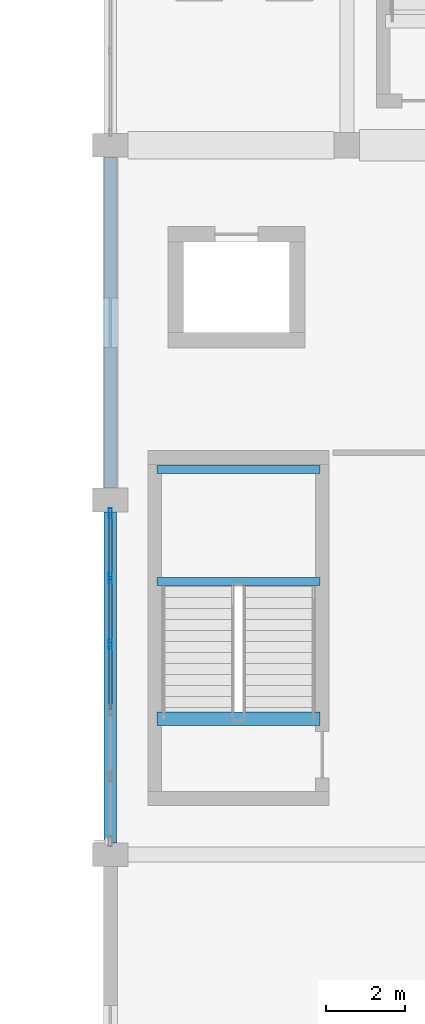
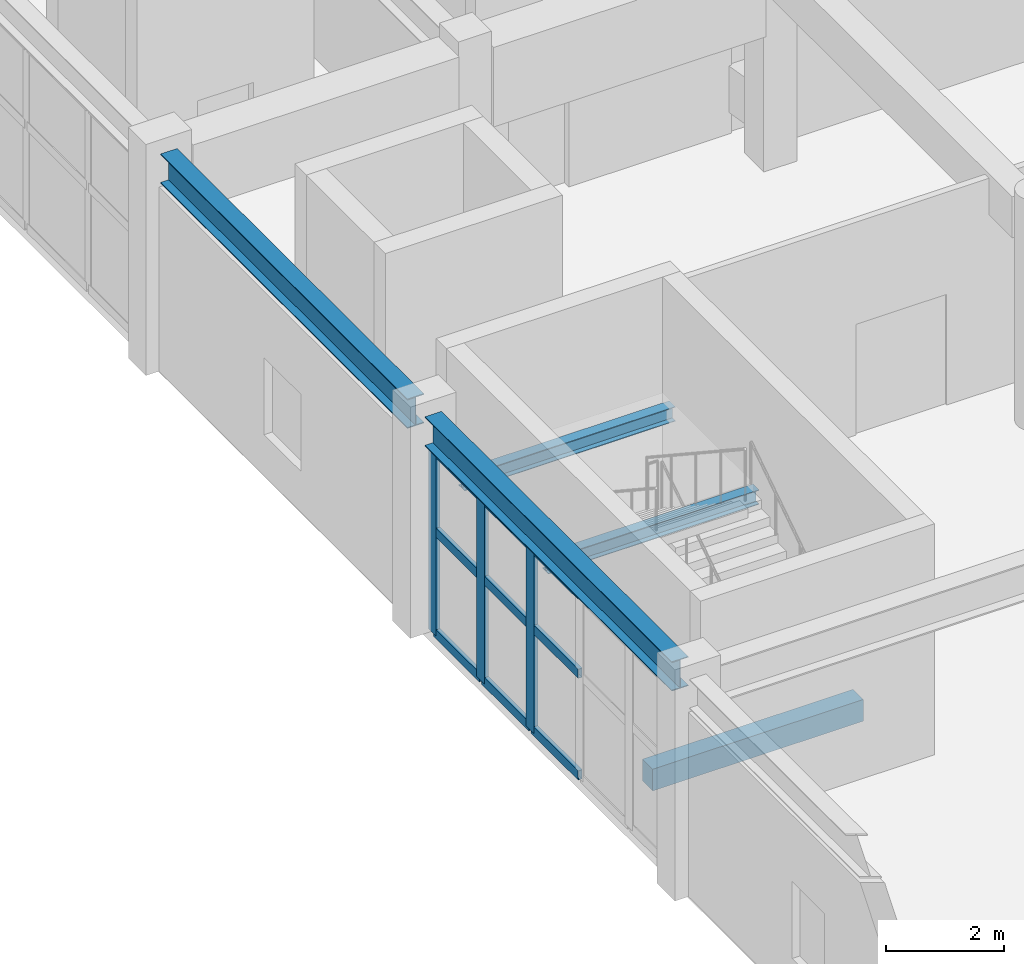
# One storey, part 5 of 85: 12 members, 5 beams, 1 element without a shape of its own.
"""IFC4 building model written with IfcOpenShell, lengths in metres."""

from ifc_helpers import new_model, si_unit, direction, frame, origin, origin_2d, place, context, subcontext, project, spatial, rectangle, hollow_rectangle, i_section, extrude, material, layer, layer_set, material_profile, profile_set, type_object, element, aggregate, save


model = new_model("IFC4")

# Units and contexts
model_context = context("Model", 3, precision=1e-05, world=origin(), true_north=direction((0.0, 1.0)))
body_context = subcontext(model_context, "Body", "Model", "MODEL_VIEW")
ifc_project = project(units=[si_unit("LENGTHUNIT", "METRE"), si_unit("AREAUNIT", "SQUARE_METRE"), si_unit("VOLUMEUNIT", "CUBIC_METRE"), si_unit("PLANEANGLEUNIT", "RADIAN"), si_unit("MASSUNIT", "GRAM", prefix="KILO")], contexts=[model_context])

# Site, building, storey
site_placement = place(None, origin())
site = spatial("IfcSite", under=ifc_project, at=site_placement, CompositionType="ELEMENT")
building_placement = place(site_placement, origin())
building = spatial("IfcBuilding", under=site, at=building_placement, Name="Vaelkrest Opera House", CompositionType="ELEMENT")
storey_placement = place(building_placement, frame((0.0, 0.0, 10.199951171875)))
storey = spatial("IfcBuildingStorey", under=building, at=storey_placement, Name="L02", CompositionType="ELEMENT", Elevation=10.199951171875)

# Curtain wall, members
ifc_material_1 = material(Name="Dark bronze anodized aluminium", Category="aluminium")
ifc_layer = layer(ifc_material_1, 0.2099609375)
ifc_layer_set = layer_set([ifc_layer], Name="Dark bronze anodized aluminium")
curtain_wall_type = type_object("IfcCurtainWallType", Name="CW04", PredefinedType="NOTDEFINED", material=ifc_layer_set)
curtain_wall_placement = place(storey_placement, origin())
curtain_wall = element("IfcCurtainWall", 1, at=curtain_wall_placement, inside=storey, type_object=curtain_wall_type, Name="Curtain wall CW-L02-036", PredefinedType="NOTDEFINED")
ifc_material_profile_1 = material_profile(ifc_material_1, hollow_rectangle(XDim=0.080078125, YDim=0.260009765625, WallThickness=0.0048828125, at=origin_2d()), Name="CWM80X260")
ifc_profile_set_1 = profile_set([ifc_material_profile_1], Name="Dark bronze anodized aluminium")
member_type_1 = type_object("IfcMemberType", Name="CWM04", PredefinedType="MULLION", material=ifc_profile_set_1)
member_1_placement = place(storey_placement, frame((-30.0, -41.459716796875, 0.0), z_axis=(0.0, 0.0, 1.0), x_axis=(-1.0, 0.0, 0.0)))
member_1 = element("IfcMember", 2, at=member_1_placement, type_object=member_type_1, Name="CW04 mullion 4", PredefinedType="MULLION", context=body_context, shape_type="SweptSolid", body=[
    extrude(hollow_rectangle(XDim=0.080078125, YDim=0.260009765625, WallThickness=0.0048828125, at=origin_2d()), origin(), (0.0, 0.0, 1.0), 3.8291015625),
])
member_2_placement = place(storey_placement, frame((-30.0, -39.77880859375, 0.0), z_axis=(0.0, 0.0, 1.0), x_axis=(-1.0, 0.0, 0.0)))
member_2 = element("IfcMember", 3, at=member_2_placement, type_object=member_type_1, Name="CW04 mullion 5", PredefinedType="MULLION", context=body_context, shape_type="SweptSolid", body=[
    extrude(hollow_rectangle(XDim=0.080078125, YDim=0.260009765625, WallThickness=0.0048828125, at=origin_2d()), origin(), (0.0, 0.0, 1.0), 3.8291015625),
])
member_3_placement = place(storey_placement, frame((-30.0, -38.137939453125, 0.0), z_axis=(0.0, 0.0, 1.0), x_axis=(-1.0, 0.0, 0.0)))
member_3 = element("IfcMember", 4, at=member_3_placement, type_object=member_type_1, Name="CW04 mullion 6", PredefinedType="MULLION", context=body_context, shape_type="SweptSolid", body=[
    extrude(hollow_rectangle(XDim=0.080078125, YDim=0.260009765625, WallThickness=0.0048828125, at=origin_2d()), origin(), (0.0, 0.0, 1.0), 3.8291015625),
])
ifc_material_profile_2 = material_profile(ifc_material_1, hollow_rectangle(XDim=0.080078125, YDim=0.18994140625, WallThickness=0.0048828125, at=origin_2d()), Name="CWT80X190")
ifc_profile_set_2 = profile_set([ifc_material_profile_2], Name="Dark bronze anodized aluminium")
member_type_2 = type_object("IfcMemberType", Name="CWT04", PredefinedType="USERDEFINED", material=ifc_profile_set_2)
member_4_placement = place(storey_placement, frame((-30.0, -43.100341796875, 0.0400390625), z_axis=(0.0, 1.0, 0.0), x_axis=(-1.0, 0.0, 0.0)))
member_4 = element("IfcMember", 5, at=member_4_placement, type_object=member_type_2, Name="CW04 transom 3.1", ObjectType="TRANSOM", PredefinedType="USERDEFINED", context=body_context, shape_type="SweptSolid", body=[
    extrude(hollow_rectangle(XDim=0.080078125, YDim=0.18994140625, WallThickness=0.0048828125, at=origin_2d()), origin(), (0.0, 0.0, 1.0), 1.600830078125),
])
member_5_placement = place(storey_placement, frame((-30.0, -43.100341796875, 2.150146484375), z_axis=(0.0, 1.0, 0.0), x_axis=(-1.0, 0.0, 0.0)))
member_5 = element("IfcMember", 6, at=member_5_placement, type_object=member_type_2, Name="CW04 transom 3.2", ObjectType="TRANSOM", PredefinedType="USERDEFINED", context=body_context, shape_type="SweptSolid", body=[
    extrude(hollow_rectangle(XDim=0.080078125, YDim=0.18994140625, WallThickness=0.0048828125, at=origin_2d()), origin(), (0.0, 0.0, 1.0), 1.600830078125),
])
member_6_placement = place(storey_placement, frame((-30.0, -43.100341796875, 3.7890625), z_axis=(0.0, 1.0, 0.0), x_axis=(-1.0, 0.0, 0.0)))
member_6 = element("IfcMember", 7, at=member_6_placement, type_object=member_type_2, Name="CW04 transom 3.3", ObjectType="TRANSOM", PredefinedType="USERDEFINED", context=body_context, shape_type="SweptSolid", body=[
    extrude(hollow_rectangle(XDim=0.080078125, YDim=0.18994140625, WallThickness=0.0048828125, at=origin_2d()), origin(), (0.0, 0.0, 1.0), 1.600830078125),
])
member_7_placement = place(storey_placement, frame((-30.0, -41.419677734375, 0.0400390625), z_axis=(0.0, 1.0, 0.0), x_axis=(-1.0, 0.0, 0.0)))
member_7 = element("IfcMember", 8, at=member_7_placement, type_object=member_type_2, Name="CW04 transom 4.1", ObjectType="TRANSOM", PredefinedType="USERDEFINED", context=body_context, shape_type="SweptSolid", body=[
    extrude(hollow_rectangle(XDim=0.080078125, YDim=0.18994140625, WallThickness=0.0048828125, at=origin_2d()), origin(), (0.0, 0.0, 1.0), 1.600830078125),
])
member_8_placement = place(storey_placement, frame((-30.0, -41.419677734375, 2.150146484375), z_axis=(0.0, 1.0, 0.0), x_axis=(-1.0, 0.0, 0.0)))
member_8 = element("IfcMember", 9, at=member_8_placement, type_object=member_type_2, Name="CW04 transom 4.2", ObjectType="TRANSOM", PredefinedType="USERDEFINED", context=body_context, shape_type="SweptSolid", body=[
    extrude(hollow_rectangle(XDim=0.080078125, YDim=0.18994140625, WallThickness=0.0048828125, at=origin_2d()), origin(), (0.0, 0.0, 1.0), 1.600830078125),
])
member_9_placement = place(storey_placement, frame((-30.0, -41.419677734375, 3.7890625), z_axis=(0.0, 1.0, 0.0), x_axis=(-1.0, 0.0, 0.0)))
member_9 = element("IfcMember", 10, at=member_9_placement, type_object=member_type_2, Name="CW04 transom 4.3", ObjectType="TRANSOM", PredefinedType="USERDEFINED", context=body_context, shape_type="SweptSolid", body=[
    extrude(hollow_rectangle(XDim=0.080078125, YDim=0.18994140625, WallThickness=0.0048828125, at=origin_2d()), origin(), (0.0, 0.0, 1.0), 1.600830078125),
])
member_10_placement = place(storey_placement, frame((-30.0, -39.73876953125, 0.0400390625), z_axis=(0.0, 1.0, 0.0), x_axis=(-1.0, 0.0, 0.0)))
member_10 = element("IfcMember", 11, at=member_10_placement, type_object=member_type_2, Name="CW04 transom 5.1", ObjectType="TRANSOM", PredefinedType="USERDEFINED", context=body_context, shape_type="SweptSolid", body=[
    extrude(hollow_rectangle(XDim=0.080078125, YDim=0.18994140625, WallThickness=0.0048828125, at=origin_2d()), origin(), (0.0, 0.0, 1.0), 1.560791015625),
])
member_11_placement = place(storey_placement, frame((-30.0, -39.73876953125, 2.150146484375), z_axis=(0.0, 1.0, 0.0), x_axis=(-1.0, 0.0, 0.0)))
member_11 = element("IfcMember", 12, at=member_11_placement, type_object=member_type_2, Name="CW04 transom 5.2", ObjectType="TRANSOM", PredefinedType="USERDEFINED", context=body_context, shape_type="SweptSolid", body=[
    extrude(hollow_rectangle(XDim=0.080078125, YDim=0.18994140625, WallThickness=0.0048828125, at=origin_2d()), origin(), (0.0, 0.0, 1.0), 1.560791015625),
])
member_12_placement = place(storey_placement, frame((-30.0, -39.73876953125, 3.7890625), z_axis=(0.0, 1.0, 0.0), x_axis=(-1.0, 0.0, 0.0)))
member_12 = element("IfcMember", 13, at=member_12_placement, type_object=member_type_2, Name="CW04 transom 5.3", ObjectType="TRANSOM", PredefinedType="USERDEFINED", context=body_context, shape_type="SweptSolid", body=[
    extrude(hollow_rectangle(XDim=0.080078125, YDim=0.18994140625, WallThickness=0.0048828125, at=origin_2d()), origin(), (0.0, 0.0, 1.0), 1.560791015625),
])
aggregate(curtain_wall, [member_1, member_2, member_3, member_4, member_5, member_6, member_7, member_8, member_9, member_10, member_11, member_12])

# Beams
ifc_material_2 = material(Name="Steel A992 Gr50", Category="steel")
ifc_material_profile_3 = material_profile(ifc_material_2, i_section(OverallWidth=0.202880859375, OverallDepth=0.302978515625, WebThickness=0.007568359375, FlangeThickness=0.01318359375, at=origin_2d()), Name="W12X40")
ifc_profile_set_3 = profile_set([ifc_material_profile_3], Name="Steel A992 Gr50")
beam_type_1 = type_object("IfcBeamType", Name="J02", PredefinedType="JOIST", material=ifc_profile_set_3)
for number, where, z_axis, x_axis, name in (
    (14, (-28.820068359375, -39.8701171875, 2.048583984375), (1.0, 0.0, 0.0), (0.0, 1.0, 0.0), "Stair landing bearer beam ST03 L02-1N"),
    (15, (-28.820068359375, -37.02001953125, 2.048583984375), (1.0, 0.0, 0.0), (0.0, 1.0, 0.0), "Stair landing bearer beam ST03 L02-1F"),
):
    element("IfcBeam", number, at=place(storey_placement, frame(where, z_axis=z_axis, x_axis=x_axis)), inside=storey, type_object=beam_type_1, Name=name, PredefinedType="JOIST", context=body_context, shape_type="SweptSolid", body=[
        extrude(i_section(OverallWidth=0.202880859375, OverallDepth=0.302978515625, WebThickness=0.007568359375, FlangeThickness=0.01318359375, at=origin_2d()), origin(), (0.0, 0.0, 1.0), 4.14013671875),
    ])
ifc_material_3 = material(Name="Concrete C50/60", Category="concrete")
ifc_material_profile_4 = material_profile(ifc_material_3, rectangle(XDim=0.35009765625, YDim=0.449951171875, at=origin_2d()), Name="RCB350X450")
ifc_profile_set_4 = profile_set([ifc_material_profile_4], Name="Concrete C50/60")
beam_type_2 = type_object("IfcBeamType", Name="LN01", PredefinedType="LINTEL", material=ifc_profile_set_4)
beam_placement = place(storey_placement, frame((-28.820068359375, -43.35009765625, -0.224853515625), z_axis=(1.0, 0.0, 0.0), x_axis=(0.0, 1.0, 0.0)))
element("IfcBeam", 16, at=beam_placement, inside=storey, type_object=beam_type_2, Name="Stairwell trimmer beam ST03 L02", PredefinedType="LINTEL", context=body_context, shape_type="SweptSolid", body=[
    extrude(rectangle(XDim=0.35009765625, YDim=0.449951171875, at=origin_2d()), origin(), (0.0, 0.0, 1.0), 4.14013671875),
])
ifc_material_profile_5 = material_profile(ifc_material_2, i_section(OverallWidth=0.323974609375, OverallDepth=0.611083984375, WebThickness=0.0126953125, FlangeThickness=0.01904296875, at=origin_2d()), Name="W24X104")
ifc_profile_set_5 = profile_set([ifc_material_profile_5], Name="Steel A992 Gr50")
beam_type_3 = type_object("IfcBeamType", Name="SP01", PredefinedType="SPANDREL", material=ifc_profile_set_5)
for number, where, z_axis, x_axis, name in (
    (17, (-30.0, -46.5, 4.199462890625), (0.0, 1.0, 0.0), (-1.0, 0.0, 0.0), "Beam BM-V1-L02-0366"),
    (18, (-30.0, -37.5, 4.199462890625), (0.0, 1.0, 0.0), (-1.0, 0.0, 0.0), "Beam BM-V1-L02-0367"),
):
    element("IfcBeam", number, at=place(storey_placement, frame(where, z_axis=z_axis, x_axis=x_axis)), inside=storey, type_object=beam_type_3, Name=name, PredefinedType="SPANDREL", context=body_context, shape_type="SweptSolid", body=[
        extrude(i_section(OverallWidth=0.323974609375, OverallDepth=0.611083984375, WebThickness=0.0126953125, FlangeThickness=0.01904296875, at=origin_2d()), origin(), (0.0, 0.0, 1.0), 8.39990234375),
    ])

save(model, "model.ifc")
